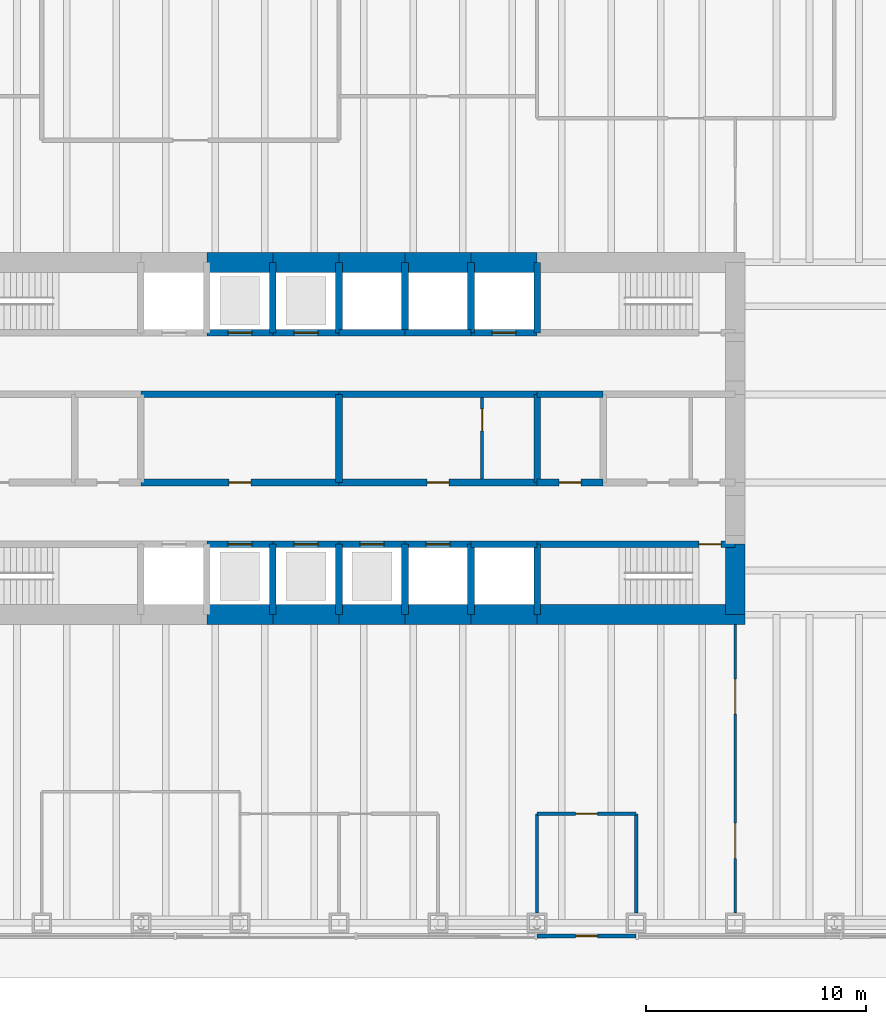
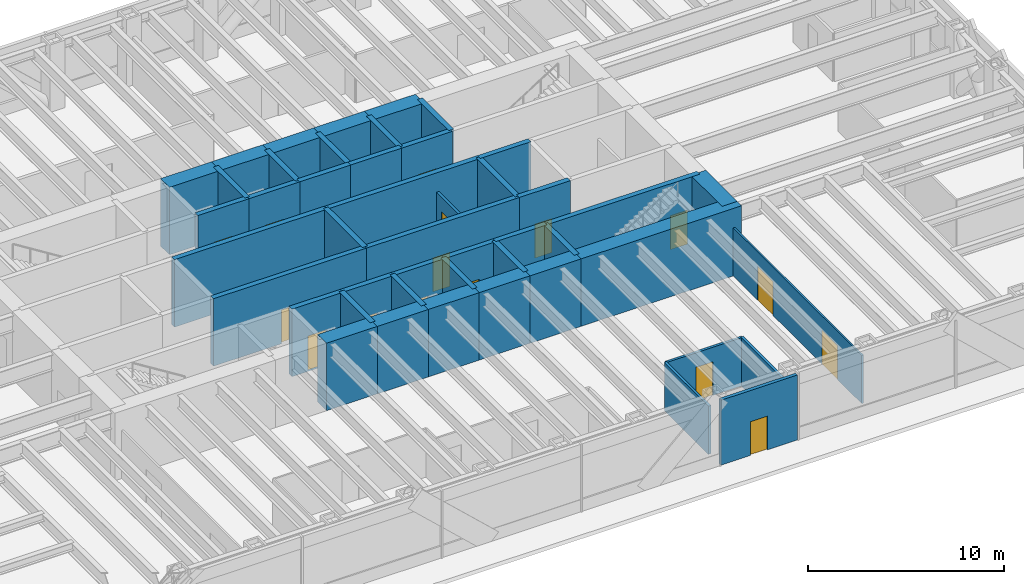
# One storey, part 10 of 14: 47 walls, 16 doors, 16 openings.
"""IFC4 building model written with IfcOpenShell, lengths in metres."""

from ifc_helpers import new_model, si_unit, direction, frame, frame_2d, origin, place, context, subcontext, project, spatial, rectangle, extrude, material, layer, layer_set, type_object, element, fill, save


model = new_model("IFC4")

# Units and contexts
model_context = context("Model", 3, precision=1e-05, world=origin(), true_north=direction((0.0, 1.0)))
body_context = subcontext(model_context, "Body", "Model", "MODEL_VIEW")
ifc_project = project(units=[si_unit("LENGTHUNIT", "METRE"), si_unit("AREAUNIT", "SQUARE_METRE"), si_unit("VOLUMEUNIT", "CUBIC_METRE"), si_unit("PLANEANGLEUNIT", "RADIAN"), si_unit("MASSUNIT", "GRAM", prefix="KILO")], contexts=[model_context])

# Site, building, storey
site_placement = place(None, origin())
site = spatial("IfcSite", under=ifc_project, at=site_placement, CompositionType="ELEMENT")
building_placement = place(site_placement, origin())
building = spatial("IfcBuilding", under=site, at=building_placement, Name="Rheinbord Bourse Tower", CompositionType="ELEMENT")
storey_placement = place(building_placement, frame((0.0, 0.0, 100.5)))
storey = spatial("IfcBuildingStorey", under=building, at=storey_placement, Name="L21", CompositionType="ELEMENT", Elevation=100.5)

# Wall, opening, door
ifc_material_1 = material(Name="Concrete C50/60", Category="concrete")
ifc_layer_1 = layer(ifc_material_1, 0.300048828125)
ifc_layer_set_1 = layer_set([ifc_layer_1], Name="CORE INNER WALL 300")
wall_type_1 = type_object("IfcWallType", Name="CORE INNER WALL 300", PredefinedType="SOLIDWALL", material=ifc_layer_set_1)
wall_1_placement = place(storey_placement, frame((30.0, 19.199951171875, 0.0), z_axis=(0.0, 0.0, 1.0), x_axis=(1.0, 0.0, 0.0)))
wall_1 = element("IfcWall", 1, at=wall_1_placement, inside=storey, type_object=wall_type_1, Name="Core wall A3 L21", PredefinedType="SOLIDWALL", context=body_context, shape_type="SweptSolid", body=[
    extrude(rectangle(XDim=3.0, YDim=0.300048828125, at=frame_2d((1.5, 0.0))), origin(), (0.0, 0.0, 1.0), 4.199951171875),
])
opening_1_placement = place(wall_1_placement, frame((0.949951171875, 0.0, 0.0)))
opening_1 = element("IfcOpeningElement", 2, at=opening_1_placement, cuts=wall_1, Name="Opening PB1", PredefinedType="OPENING", context=body_context, shape_type="SweptSolid", body=[
    extrude(rectangle(XDim=1.10009765625, YDim=2.199951171875, at=frame_2d((0.550048828125, 1.10009765625))), frame((0.0, 0.159912109375, 0.0), z_axis=(0.0, -1.0, 0.0), x_axis=(1.0, 0.0, 0.0)), (0.0, 0.0, 1.0), 0.320068359375),
])
ifc_material_2 = material(Name="Steel landing door", Category="steel")
door_type_1 = type_object("IfcDoorType", Name="LIFT LANDING DOOR 1100", OperationType="DOUBLE_DOOR_SLIDING", PredefinedType="USERDEFINED", material=ifc_material_2)
door_1_placement = place(opening_1_placement, origin())
door_1 = element("IfcDoor", 3, at=door_1_placement, inside=storey, type_object=door_type_1, Name="Lift landing door PB1 L21", ObjectType="LIFT LANDING DOOR", OperationType="DOUBLE_DOOR_SLIDING", OverallHeight=2.199951171875, OverallWidth=1.10009765625, PredefinedType="USERDEFINED", context=body_context, shape_type="SweptSolid", body=[
    extrude(rectangle(XDim=1.10009765625, YDim=2.199951171875, at=frame_2d((0.550048828125, 1.10009765625))), frame((0.0, 0.02490234375, 0.0), z_axis=(0.0, -1.0, 0.0), x_axis=(1.0, 0.0, 0.0)), (0.0, 0.0, 1.0), 0.050048828125),
])
fill(opening_1, door_1)

wall_2_placement = place(storey_placement, frame((33.0, 19.199951171875, 0.0), z_axis=(0.0, 0.0, 1.0), x_axis=(1.0, 0.0, 0.0)))
wall_2 = element("IfcWall", 4, at=wall_2_placement, inside=storey, type_object=wall_type_1, Name="Core wall A4 L21", PredefinedType="SOLIDWALL", context=body_context, shape_type="SweptSolid", body=[
    extrude(rectangle(XDim=3.0, YDim=0.300048828125, at=frame_2d((1.5, 0.0))), origin(), (0.0, 0.0, 1.0), 4.199951171875),
])
opening_2_placement = place(wall_2_placement, frame((0.949951171875, 0.0, 0.0)))
opening_2 = element("IfcOpeningElement", 5, at=opening_2_placement, cuts=wall_2, Name="Opening PB2", PredefinedType="OPENING", context=body_context, shape_type="SweptSolid", body=[
    extrude(rectangle(XDim=1.10009765625, YDim=2.199951171875, at=frame_2d((0.550048828125, 1.10009765625))), frame((0.0, 0.159912109375, 0.0), z_axis=(0.0, -1.0, 0.0), x_axis=(1.0, 0.0, 0.0)), (0.0, 0.0, 1.0), 0.320068359375),
])
door_2_placement = place(opening_2_placement, origin())
door_2 = element("IfcDoor", 6, at=door_2_placement, inside=storey, type_object=door_type_1, Name="Lift landing door PB2 L21", ObjectType="LIFT LANDING DOOR", OperationType="DOUBLE_DOOR_SLIDING", OverallHeight=2.199951171875, OverallWidth=1.10009765625, PredefinedType="USERDEFINED", context=body_context, shape_type="SweptSolid", body=[
    extrude(rectangle(XDim=1.10009765625, YDim=2.199951171875, at=frame_2d((0.550048828125, 1.10009765625))), frame((0.0, 0.02490234375, 0.0), z_axis=(0.0, -1.0, 0.0), x_axis=(1.0, 0.0, 0.0)), (0.0, 0.0, 1.0), 0.050048828125),
])
fill(opening_2, door_2)

wall_3_placement = place(storey_placement, frame((36.0, 19.199951171875, 0.0), z_axis=(0.0, 0.0, 1.0), x_axis=(1.0, 0.0, 0.0)))
wall_3 = element("IfcWall", 7, at=wall_3_placement, inside=storey, type_object=wall_type_1, Name="Core wall A5 L21", PredefinedType="SOLIDWALL", context=body_context, shape_type="SweptSolid", body=[
    extrude(rectangle(XDim=3.0, YDim=0.300048828125, at=frame_2d((1.5, 0.0))), origin(), (0.0, 0.0, 1.0), 4.199951171875),
])
opening_3_placement = place(wall_3_placement, frame((0.949951171875, 0.0, 0.0)))
opening_3 = element("IfcOpeningElement", 8, at=opening_3_placement, cuts=wall_3, Name="Opening PB3", PredefinedType="OPENING", context=body_context, shape_type="SweptSolid", body=[
    extrude(rectangle(XDim=1.10009765625, YDim=2.199951171875, at=frame_2d((0.550048828125, 1.10009765625))), frame((0.0, 0.159912109375, 0.0), z_axis=(0.0, -1.0, 0.0), x_axis=(1.0, 0.0, 0.0)), (0.0, 0.0, 1.0), 0.320068359375),
])
door_3_placement = place(opening_3_placement, origin())
door_3 = element("IfcDoor", 9, at=door_3_placement, inside=storey, type_object=door_type_1, Name="Lift landing door PB3 L21", ObjectType="LIFT LANDING DOOR", OperationType="DOUBLE_DOOR_SLIDING", OverallHeight=2.199951171875, OverallWidth=1.10009765625, PredefinedType="USERDEFINED", context=body_context, shape_type="SweptSolid", body=[
    extrude(rectangle(XDim=1.10009765625, YDim=2.199951171875, at=frame_2d((0.550048828125, 1.10009765625))), frame((0.0, 0.02490234375, 0.0), z_axis=(0.0, -1.0, 0.0), x_axis=(1.0, 0.0, 0.0)), (0.0, 0.0, 1.0), 0.050048828125),
])
fill(opening_3, door_3)

wall_4_placement = place(storey_placement, frame((39.0, 19.199951171875, 0.0), z_axis=(0.0, 0.0, 1.0), x_axis=(1.0, 0.0, 0.0)))
wall_4 = element("IfcWall", 10, at=wall_4_placement, inside=storey, type_object=wall_type_1, Name="Core wall A6 L21", PredefinedType="SOLIDWALL", context=body_context, shape_type="SweptSolid", body=[
    extrude(rectangle(XDim=3.0, YDim=0.300048828125, at=frame_2d((1.5, 0.0))), origin(), (0.0, 0.0, 1.0), 4.199951171875),
])
opening_4_placement = place(wall_4_placement, frame((0.949951171875, 0.0, 0.0)))
opening_4 = element("IfcOpeningElement", 11, at=opening_4_placement, cuts=wall_4, Name="Opening SL1", PredefinedType="OPENING", context=body_context, shape_type="SweptSolid", body=[
    extrude(rectangle(XDim=1.10009765625, YDim=2.199951171875, at=frame_2d((0.550048828125, 1.10009765625))), frame((0.0, 0.159912109375, 0.0), z_axis=(0.0, -1.0, 0.0), x_axis=(1.0, 0.0, 0.0)), (0.0, 0.0, 1.0), 0.320068359375),
])
door_4_placement = place(opening_4_placement, origin())
door_4 = element("IfcDoor", 12, at=door_4_placement, inside=storey, type_object=door_type_1, Name="Lift landing door SL1 L21", ObjectType="LIFT LANDING DOOR", OperationType="DOUBLE_DOOR_SLIDING", OverallHeight=2.199951171875, OverallWidth=1.10009765625, PredefinedType="USERDEFINED", context=body_context, shape_type="SweptSolid", body=[
    extrude(rectangle(XDim=1.10009765625, YDim=2.199951171875, at=frame_2d((0.550048828125, 1.10009765625))), frame((0.0, 0.02490234375, 0.0), z_axis=(0.0, -1.0, 0.0), x_axis=(1.0, 0.0, 0.0)), (0.0, 0.0, 1.0), 0.050048828125),
])
fill(opening_4, door_4)

# Wall
wall_5_placement = place(storey_placement, frame((42.0, 19.199951171875, 0.0), z_axis=(0.0, 0.0, 1.0), x_axis=(1.0, 0.0, 0.0)))
element("IfcWall", 13, at=wall_5_placement, inside=storey, type_object=wall_type_1, Name="Core wall A7 L21", PredefinedType="SOLIDWALL", context=body_context, shape_type="SweptSolid", body=[
    extrude(rectangle(XDim=3.0, YDim=0.300048828125, at=frame_2d((1.5, 0.0))), origin(), (0.0, 0.0, 1.0), 4.199951171875),
])

# Wall, opening, door
wall_6_placement = place(storey_placement, frame((45.0, 19.199951171875, 0.0), z_axis=(0.0, 0.0, 1.0), x_axis=(1.0, 0.0, 0.0)))
wall_6 = element("IfcWall", 14, at=wall_6_placement, inside=storey, type_object=wall_type_1, Name="Core wall A8 L21", PredefinedType="SOLIDWALL", context=body_context, shape_type="SweptSolid", body=[
    extrude(rectangle(XDim=9.0, YDim=0.300048828125, at=frame_2d((4.5, 0.0))), origin(), (0.0, 0.0, 1.0), 4.199951171875),
])
opening_5_placement = place(wall_6_placement, frame((7.35009765625, 0.0, 0.0)))
opening_5 = element("IfcOpeningElement", 15, at=opening_5_placement, cuts=wall_6, Name="Opening 2130", PredefinedType="OPENING", context=body_context, shape_type="SweptSolid", body=[
    extrude(rectangle(XDim=1.0, YDim=2.10009765625, at=frame_2d((0.5, 1.050048828125))), frame((0.0, 0.159912109375, 0.0), z_axis=(0.0, -1.0, 0.0), x_axis=(1.0, 0.0, 0.0)), (0.0, 0.0, 1.0), 0.320068359375),
])
ifc_material_3 = material(Name="Steel door", Category="steel")
door_type_2 = type_object("IfcDoorType", Name="DOOR 1000 EI30", OperationType="SINGLE_SWING_LEFT", PredefinedType="DOOR", material=ifc_material_3)
door_5_placement = place(opening_5_placement, origin())
door_5 = element("IfcDoor", 16, at=door_5_placement, inside=storey, type_object=door_type_2, Name="Stair door ST3 L21", OperationType="SINGLE_SWING_RIGHT", OverallHeight=2.10009765625, OverallWidth=1.0, PredefinedType="DOOR", context=body_context, shape_type="SweptSolid", body=[
    extrude(rectangle(XDim=1.0, YDim=2.10009765625, at=frame_2d((0.5, 1.050048828125))), frame((0.0, 0.02490234375, 0.0), z_axis=(0.0, -1.0, 0.0), x_axis=(1.0, 0.0, 0.0)), (0.0, 0.0, 1.0), 0.050048828125),
])
fill(opening_5, door_5)

wall_7_placement = place(storey_placement, frame((30.0, 28.800048828125, 0.0), z_axis=(0.0, 0.0, 1.0), x_axis=(1.0, 0.0, 0.0)))
wall_7 = element("IfcWall", 17, at=wall_7_placement, inside=storey, type_object=wall_type_1, Name="Core wall B3 L21", PredefinedType="SOLIDWALL", context=body_context, shape_type="SweptSolid", body=[
    extrude(rectangle(XDim=3.0, YDim=0.300048828125, at=frame_2d((1.5, 0.0))), origin(), (0.0, 0.0, 1.0), 4.199951171875),
])
opening_6_placement = place(wall_7_placement, frame((0.949951171875, 0.0, 0.0)))
opening_6 = element("IfcOpeningElement", 18, at=opening_6_placement, cuts=wall_7, Name="Opening PB4", PredefinedType="OPENING", context=body_context, shape_type="SweptSolid", body=[
    extrude(rectangle(XDim=1.10009765625, YDim=2.199951171875, at=frame_2d((0.550048828125, 1.10009765625))), frame((0.0, 0.159912109375, 0.0), z_axis=(0.0, -1.0, 0.0), x_axis=(1.0, 0.0, 0.0)), (0.0, 0.0, 1.0), 0.320068359375),
])
door_6_placement = place(opening_6_placement, origin())
door_6 = element("IfcDoor", 19, at=door_6_placement, inside=storey, type_object=door_type_1, Name="Lift landing door PB4 L21", ObjectType="LIFT LANDING DOOR", OperationType="DOUBLE_DOOR_SLIDING", OverallHeight=2.199951171875, OverallWidth=1.10009765625, PredefinedType="USERDEFINED", context=body_context, shape_type="SweptSolid", body=[
    extrude(rectangle(XDim=1.10009765625, YDim=2.199951171875, at=frame_2d((0.550048828125, 1.10009765625))), frame((0.0, 0.02490234375, 0.0), z_axis=(0.0, -1.0, 0.0), x_axis=(1.0, 0.0, 0.0)), (0.0, 0.0, 1.0), 0.050048828125),
])
fill(opening_6, door_6)

wall_8_placement = place(storey_placement, frame((33.0, 28.800048828125, 0.0), z_axis=(0.0, 0.0, 1.0), x_axis=(1.0, 0.0, 0.0)))
wall_8 = element("IfcWall", 20, at=wall_8_placement, inside=storey, type_object=wall_type_1, Name="Core wall B4 L21", PredefinedType="SOLIDWALL", context=body_context, shape_type="SweptSolid", body=[
    extrude(rectangle(XDim=3.0, YDim=0.300048828125, at=frame_2d((1.5, 0.0))), origin(), (0.0, 0.0, 1.0), 4.199951171875),
])
opening_7_placement = place(wall_8_placement, frame((0.949951171875, 0.0, 0.0)))
opening_7 = element("IfcOpeningElement", 21, at=opening_7_placement, cuts=wall_8, Name="Opening PB5", PredefinedType="OPENING", context=body_context, shape_type="SweptSolid", body=[
    extrude(rectangle(XDim=1.10009765625, YDim=2.199951171875, at=frame_2d((0.550048828125, 1.10009765625))), frame((0.0, 0.159912109375, 0.0), z_axis=(0.0, -1.0, 0.0), x_axis=(1.0, 0.0, 0.0)), (0.0, 0.0, 1.0), 0.320068359375),
])
door_7_placement = place(opening_7_placement, origin())
door_7 = element("IfcDoor", 22, at=door_7_placement, inside=storey, type_object=door_type_1, Name="Lift landing door PB5 L21", ObjectType="LIFT LANDING DOOR", OperationType="DOUBLE_DOOR_SLIDING", OverallHeight=2.199951171875, OverallWidth=1.10009765625, PredefinedType="USERDEFINED", context=body_context, shape_type="SweptSolid", body=[
    extrude(rectangle(XDim=1.10009765625, YDim=2.199951171875, at=frame_2d((0.550048828125, 1.10009765625))), frame((0.0, 0.02490234375, 0.0), z_axis=(0.0, -1.0, 0.0), x_axis=(1.0, 0.0, 0.0)), (0.0, 0.0, 1.0), 0.050048828125),
])
fill(opening_7, door_7)

# Walls
for number, where, z_axis, x_axis, name in (
    (23, (36.0, 28.800048828125, 0.0), (0.0, 0.0, 1.0), (1.0, 0.0, 0.0), "Core wall B5 L21"),
    (24, (39.0, 28.800048828125, 0.0), (0.0, 0.0, 1.0), (1.0, 0.0, 0.0), "Core wall B6 L21"),
):
    element("IfcWall", number, at=place(storey_placement, frame(where, z_axis=z_axis, x_axis=x_axis)), inside=storey, type_object=wall_type_1, Name=name, PredefinedType="SOLIDWALL", context=body_context, shape_type="SweptSolid", body=[
        extrude(rectangle(XDim=3.0, YDim=0.300048828125, at=frame_2d((1.5, 0.0))), origin(), (0.0, 0.0, 1.0), 4.199951171875),
    ])

# Wall, opening, door
wall_9_placement = place(storey_placement, frame((42.0, 28.800048828125, 0.0), z_axis=(0.0, 0.0, 1.0), x_axis=(1.0, 0.0, 0.0)))
wall_9 = element("IfcWall", 25, at=wall_9_placement, inside=storey, type_object=wall_type_1, Name="Core wall B7 L21", PredefinedType="SOLIDWALL", context=body_context, shape_type="SweptSolid", body=[
    extrude(rectangle(XDim=3.0, YDim=0.300048828125, at=frame_2d((1.5, 0.0))), origin(), (0.0, 0.0, 1.0), 4.199951171875),
])
opening_8_placement = place(wall_9_placement, frame((0.949951171875, 0.0, 0.0)))
opening_8 = element("IfcOpeningElement", 26, at=opening_8_placement, cuts=wall_9, Name="Opening FL2", PredefinedType="OPENING", context=body_context, shape_type="SweptSolid", body=[
    extrude(rectangle(XDim=1.10009765625, YDim=2.199951171875, at=frame_2d((0.550048828125, 1.10009765625))), frame((0.0, 0.159912109375, 0.0), z_axis=(0.0, -1.0, 0.0), x_axis=(1.0, 0.0, 0.0)), (0.0, 0.0, 1.0), 0.320068359375),
])
door_8_placement = place(opening_8_placement, origin())
door_8 = element("IfcDoor", 27, at=door_8_placement, inside=storey, type_object=door_type_1, Name="Lift landing door FL2 L21", ObjectType="LIFT LANDING DOOR", OperationType="DOUBLE_DOOR_SLIDING", OverallHeight=2.199951171875, OverallWidth=1.10009765625, PredefinedType="USERDEFINED", context=body_context, shape_type="SweptSolid", body=[
    extrude(rectangle(XDim=1.10009765625, YDim=2.199951171875, at=frame_2d((0.550048828125, 1.10009765625))), frame((0.0, 0.02490234375, 0.0), z_axis=(0.0, -1.0, 0.0), x_axis=(1.0, 0.0, 0.0)), (0.0, 0.0, 1.0), 0.050048828125),
])
fill(opening_8, door_8)

wall_10_placement = place(storey_placement, frame((27.0, 22.0, 0.0), z_axis=(0.0, 0.0, 1.0), x_axis=(1.0, 0.0, 0.0)))
wall_10 = element("IfcWall", 28, at=wall_10_placement, inside=storey, type_object=wall_type_1, Name="Core wall C3 L21", PredefinedType="SOLIDWALL", context=body_context, shape_type="SweptSolid", body=[
    extrude(rectangle(XDim=9.0, YDim=0.300048828125, at=frame_2d((4.5, 0.0))), origin(), (0.0, 0.0, 1.0), 4.199951171875),
])
opening_9_placement = place(wall_10_placement, frame((4.0, 0.0, 0.0)))
opening_9 = element("IfcOpeningElement", 29, at=opening_9_placement, cuts=wall_10, Name="Opening 21R3", PredefinedType="OPENING", context=body_context, shape_type="SweptSolid", body=[
    extrude(rectangle(XDim=1.0, YDim=2.10009765625, at=frame_2d((0.5, 1.050048828125))), frame((0.0, 0.159912109375, 0.0), z_axis=(0.0, -1.0, 0.0), x_axis=(1.0, 0.0, 0.0)), (0.0, 0.0, 1.0), 0.320068359375),
])
door_9_placement = place(opening_9_placement, origin())
door_9 = element("IfcDoor", 30, at=door_9_placement, inside=storey, type_object=door_type_2, Name="Riser door L21", OperationType="SINGLE_SWING_LEFT", OverallHeight=2.10009765625, OverallWidth=1.0, PredefinedType="DOOR", context=body_context, shape_type="SweptSolid", body=[
    extrude(rectangle(XDim=1.0, YDim=2.10009765625, at=frame_2d((0.5, 1.050048828125))), frame((0.0, 0.02490234375, 0.0), z_axis=(0.0, -1.0, 0.0), x_axis=(1.0, 0.0, 0.0)), (0.0, 0.0, 1.0), 0.050048828125),
])
fill(opening_9, door_9)

wall_11_placement = place(storey_placement, frame((36.0, 22.0, 0.0), z_axis=(0.0, 0.0, 1.0), x_axis=(1.0, 0.0, 0.0)))
wall_11 = element("IfcWall", 31, at=wall_11_placement, inside=storey, type_object=wall_type_1, Name="Core wall C4 L21", PredefinedType="SOLIDWALL", context=body_context, shape_type="SweptSolid", body=[
    extrude(rectangle(XDim=9.0, YDim=0.300048828125, at=frame_2d((4.5, 0.0))), origin(), (0.0, 0.0, 1.0), 4.199951171875),
])
opening_10_placement = place(wall_11_placement, frame((4.0, 0.0, 0.0)))
opening_10 = element("IfcOpeningElement", 32, at=opening_10_placement, cuts=wall_11, Name="Opening 21R4", PredefinedType="OPENING", context=body_context, shape_type="SweptSolid", body=[
    extrude(rectangle(XDim=1.0, YDim=2.10009765625, at=frame_2d((0.5, 1.050048828125))), frame((0.0, 0.159912109375, 0.0), z_axis=(0.0, -1.0, 0.0), x_axis=(1.0, 0.0, 0.0)), (0.0, 0.0, 1.0), 0.320068359375),
])
door_10_placement = place(opening_10_placement, origin())
door_10 = element("IfcDoor", 33, at=door_10_placement, inside=storey, type_object=door_type_2, Name="Print room door L21", OperationType="SINGLE_SWING_LEFT", OverallHeight=2.10009765625, OverallWidth=1.0, PredefinedType="DOOR", context=body_context, shape_type="SweptSolid", body=[
    extrude(rectangle(XDim=1.0, YDim=2.10009765625, at=frame_2d((0.5, 1.050048828125))), frame((0.0, 0.02490234375, 0.0), z_axis=(0.0, -1.0, 0.0), x_axis=(1.0, 0.0, 0.0)), (0.0, 0.0, 1.0), 0.050048828125),
])
fill(opening_10, door_10)

wall_12_placement = place(storey_placement, frame((45.0, 22.0, 0.0), z_axis=(0.0, 0.0, 1.0), x_axis=(1.0, 0.0, 0.0)))
wall_12 = element("IfcWall", 34, at=wall_12_placement, inside=storey, type_object=wall_type_1, Name="Core wall C5 L21", PredefinedType="SOLIDWALL", context=body_context, shape_type="SweptSolid", body=[
    extrude(rectangle(XDim=3.0, YDim=0.300048828125, at=frame_2d((1.5, 0.0))), origin(), (0.0, 0.0, 1.0), 4.199951171875),
])
opening_11_placement = place(wall_12_placement, frame((1.0, 0.0, 0.0)))
opening_11 = element("IfcOpeningElement", 35, at=opening_11_placement, cuts=wall_12, Name="Opening 21R5", PredefinedType="OPENING", context=body_context, shape_type="SweptSolid", body=[
    extrude(rectangle(XDim=1.0, YDim=2.10009765625, at=frame_2d((0.5, 1.050048828125))), frame((0.0, 0.159912109375, 0.0), z_axis=(0.0, -1.0, 0.0), x_axis=(1.0, 0.0, 0.0)), (0.0, 0.0, 1.0), 0.320068359375),
])
ifc_material_4 = material(Name="Timber door", Category="wood")
door_type_3 = type_object("IfcDoorType", Name="DOOR 1000 WC", OperationType="SINGLE_SWING_LEFT", PredefinedType="DOOR", material=ifc_material_4)
door_11_placement = place(opening_11_placement, origin())
door_11 = element("IfcDoor", 36, at=door_11_placement, inside=storey, type_object=door_type_3, Name="Accessible WC door L21", OperationType="SINGLE_SWING_LEFT", OverallHeight=2.10009765625, OverallWidth=1.0, PredefinedType="DOOR", context=body_context, shape_type="SweptSolid", body=[
    extrude(rectangle(XDim=1.0, YDim=2.10009765625, at=frame_2d((0.5, 1.050048828125))), frame((0.0, 0.02490234375, 0.0), z_axis=(0.0, -1.0, 0.0), x_axis=(1.0, 0.0, 0.0)), (0.0, 0.0, 1.0), 0.050048828125),
])
fill(opening_11, door_11)

# Walls
for number, where, z_axis, x_axis, name in (
    (37, (27.0, 26.0, 0.0), (0.0, 0.0, 1.0), (1.0, 0.0, 0.0), "Core wall D3 L21"),
    (38, (36.0, 26.0, 0.0), (0.0, 0.0, 1.0), (1.0, 0.0, 0.0), "Core wall D4 L21"),
):
    element("IfcWall", number, at=place(storey_placement, frame(where, z_axis=z_axis, x_axis=x_axis)), inside=storey, type_object=wall_type_1, Name=name, PredefinedType="SOLIDWALL", context=body_context, shape_type="SweptSolid", body=[
        extrude(rectangle(XDim=9.0, YDim=0.300048828125, at=frame_2d((4.5, 0.0))), origin(), (0.0, 0.0, 1.0), 4.199951171875),
    ])
wall_13_placement = place(storey_placement, frame((45.0, 26.0, 0.0), z_axis=(0.0, 0.0, 1.0), x_axis=(1.0, 0.0, 0.0)))
element("IfcWall", 39, at=wall_13_placement, inside=storey, type_object=wall_type_1, Name="Core wall D5 L21", PredefinedType="SOLIDWALL", context=body_context, shape_type="SweptSolid", body=[
    extrude(rectangle(XDim=3.0, YDim=0.300048828125, at=frame_2d((1.5, 0.0))), origin(), (0.0, 0.0, 1.0), 4.199951171875),
])
for number, where, z_axis, x_axis, name in (
    (40, (33.0, 16.0, 0.0), (0.0, 0.0, 1.0), (0.0, 1.0, 0.0), "Core wall SX33 L21"),
    (41, (33.0, 28.800048828125, 0.0), (0.0, 0.0, 1.0), (0.0, 1.0, 0.0), "Core wall NX33 L21"),
    (42, (36.0, 16.0, 0.0), (0.0, 0.0, 1.0), (0.0, 1.0, 0.0), "Core wall SX36 L21"),
    (43, (36.0, 28.800048828125, 0.0), (0.0, 0.0, 1.0), (0.0, 1.0, 0.0), "Core wall NX36 L21"),
    (44, (39.0, 16.0, 0.0), (0.0, 0.0, 1.0), (0.0, 1.0, 0.0), "Core wall SX39 L21"),
    (45, (39.0, 28.800048828125, 0.0), (0.0, 0.0, 1.0), (0.0, 1.0, 0.0), "Core wall NX39 L21"),
    (46, (42.0, 16.0, 0.0), (0.0, 0.0, 1.0), (0.0, 1.0, 0.0), "Core wall SX42 L21"),
    (47, (42.0, 28.800048828125, 0.0), (0.0, 0.0, 1.0), (0.0, 1.0, 0.0), "Core wall NX42 L21"),
    (48, (45.0, 16.0, 0.0), (0.0, 0.0, 1.0), (0.0, 1.0, 0.0), "Core wall SX45 L21"),
    (49, (45.0, 28.800048828125, 0.0), (0.0, 0.0, 1.0), (0.0, 1.0, 0.0), "Core wall NX45 L21"),
):
    element("IfcWall", number, at=place(storey_placement, frame(where, z_axis=z_axis, x_axis=x_axis)), inside=storey, type_object=wall_type_1, Name=name, PredefinedType="SOLIDWALL", context=body_context, shape_type="SweptSolid", body=[
        extrude(rectangle(XDim=3.199951171875, YDim=0.300048828125, at=frame_2d((1.60009765625, 0.0))), origin(), (0.0, 0.0, 1.0), 4.199951171875),
    ])
for number, where, z_axis, x_axis, name in (
    (50, (36.0, 22.0, 0.0), (0.0, 0.0, 1.0), (0.0, 1.0, 0.0), "Core wall MX36 L21"),
    (51, (45.0, 22.0, 0.0), (0.0, 0.0, 1.0), (0.0, 1.0, 0.0), "Core wall MX45 L21"),
):
    element("IfcWall", number, at=place(storey_placement, frame(where, z_axis=z_axis, x_axis=x_axis)), inside=storey, type_object=wall_type_1, Name=name, PredefinedType="SOLIDWALL", context=body_context, shape_type="SweptSolid", body=[
        extrude(rectangle(XDim=4.0, YDim=0.300048828125, at=frame_2d((2.0, 0.0))), origin(), (0.0, 0.0, 1.0), 4.199951171875),
    ])

# Wall, opening, door
ifc_material_5 = material(Name="Gypsum board fire partition", Category="gypsum board")
ifc_layer_2 = layer(ifc_material_5, 0.14990234375)
ifc_layer_set_2 = layer_set([ifc_layer_2], Name="CORE PARTITION 150 EI30")
wall_type_2 = type_object("IfcWallType", Name="CORE PARTITION 150 EI30", PredefinedType="PARTITIONING", material=ifc_layer_set_2)
wall_14_placement = place(storey_placement, frame((42.5, 22.14990234375, 0.0), z_axis=(0.0, 0.0, 1.0), x_axis=(0.0, 1.0, 0.0)))
wall_14 = element("IfcWall", 52, at=wall_14_placement, inside=storey, type_object=wall_type_2, Name="Core partition L21-1", PredefinedType="PARTITIONING", context=body_context, shape_type="SweptSolid", body=[
    extrude(rectangle(XDim=3.7001953125, YDim=0.14990234375, at=frame_2d((1.85009765625, 0.0))), origin(), (0.0, 0.0, 1.0), 3.0),
])
opening_12_placement = place(wall_14_placement, frame((2.199951171875, 0.0, 0.0)))
opening_12 = element("IfcOpeningElement", 53, at=opening_12_placement, cuts=wall_14, Name="Opening 21R7", PredefinedType="OPENING", context=body_context, shape_type="SweptSolid", body=[
    extrude(rectangle(XDim=1.0, YDim=2.10009765625, at=frame_2d((0.5, 1.050048828125))), frame((0.0, 0.0849609375, 0.0), z_axis=(0.0, -1.0, 0.0), x_axis=(1.0, 0.0, 0.0)), (0.0, 0.0, 1.0), 0.169921875),
])
door_12_placement = place(opening_12_placement, origin())
door_12 = element("IfcDoor", 54, at=door_12_placement, inside=storey, type_object=door_type_2, Name="Paper store door L21", OperationType="SINGLE_SWING_RIGHT", OverallHeight=2.10009765625, OverallWidth=1.0, PredefinedType="DOOR", context=body_context, shape_type="SweptSolid", body=[
    extrude(rectangle(XDim=1.0, YDim=2.10009765625, at=frame_2d((0.5, 1.050048828125))), frame((0.0, 0.02490234375, 0.0), z_axis=(0.0, -1.0, 0.0), x_axis=(1.0, 0.0, 0.0)), (0.0, 0.0, 1.0), 0.050048828125),
])
fill(opening_12, door_12)

# Walls
ifc_material_6 = material(Name="Concrete C50/60", Category="concrete")
ifc_layer_3 = layer(ifc_material_6, 0.89990234375)
ifc_layer_set_3 = layer_set([ifc_layer_3], Name="CORE WALL 900")
wall_type_3 = type_object("IfcWallType", Name="CORE WALL 900", PredefinedType="SHEAR", material=ifc_layer_set_3)
for number, where, z_axis, x_axis, name in (
    (55, (30.0, 16.0, 0.0), (0.0, 0.0, 1.0), (1.0, 0.0, 0.0), "Core wall S3 L21"),
    (56, (33.0, 16.0, 0.0), (0.0, 0.0, 1.0), (1.0, 0.0, 0.0), "Core wall S4 L21"),
    (57, (36.0, 16.0, 0.0), (0.0, 0.0, 1.0), (1.0, 0.0, 0.0), "Core wall S5 L21"),
    (58, (39.0, 16.0, 0.0), (0.0, 0.0, 1.0), (1.0, 0.0, 0.0), "Core wall S6 L21"),
    (59, (42.0, 16.0, 0.0), (0.0, 0.0, 1.0), (1.0, 0.0, 0.0), "Core wall S7 L21"),
):
    element("IfcWall", number, at=place(storey_placement, frame(where, z_axis=z_axis, x_axis=x_axis)), inside=storey, type_object=wall_type_3, Name=name, PredefinedType="SHEAR", context=body_context, shape_type="SweptSolid", body=[
        extrude(rectangle(XDim=3.0, YDim=0.89990234375, at=frame_2d((1.5, 0.0))), origin(), (0.0, 0.0, 1.0), 4.199951171875),
    ])
wall_15_placement = place(storey_placement, frame((45.0, 16.0, 0.0), z_axis=(0.0, 0.0, 1.0), x_axis=(1.0, 0.0, 0.0)))
element("IfcWall", 60, at=wall_15_placement, inside=storey, type_object=wall_type_3, Name="Core wall S8 L21", PredefinedType="SHEAR", context=body_context, shape_type="SweptSolid", body=[
    extrude(rectangle(XDim=9.449951171875, YDim=0.89990234375, at=frame_2d((4.72509765625, 0.0))), origin(), (0.0, 0.0, 1.0), 4.199951171875),
])
for number, where, z_axis, x_axis, name in (
    (61, (45.0, 32.0, 0.0), (0.0, 0.0, 1.0), (-1.0, 0.0, 0.0), "Core wall N2 L21"),
    (62, (42.0, 32.0, 0.0), (0.0, 0.0, 1.0), (-1.0, 0.0, 0.0), "Core wall N3 L21"),
    (63, (39.0, 32.0, 0.0), (0.0, 0.0, 1.0), (-1.0, 0.0, 0.0), "Core wall N4 L21"),
    (64, (36.0, 32.0, 0.0), (0.0, 0.0, 1.0), (-1.0, 0.0, 0.0), "Core wall N5 L21"),
    (65, (33.0, 32.0, 0.0), (0.0, 0.0, 1.0), (-1.0, 0.0, 0.0), "Core wall N6 L21"),
):
    element("IfcWall", number, at=place(storey_placement, frame(where, z_axis=z_axis, x_axis=x_axis)), inside=storey, type_object=wall_type_3, Name=name, PredefinedType="SHEAR", context=body_context, shape_type="SweptSolid", body=[
        extrude(rectangle(XDim=3.0, YDim=0.89990234375, at=frame_2d((1.5, 0.0))), origin(), (0.0, 0.0, 1.0), 4.199951171875),
    ])
wall_16_placement = place(storey_placement, frame((54.0, 16.0, 0.0), z_axis=(0.0, 0.0, 1.0), x_axis=(0.0, 1.0, 0.0)))
element("IfcWall", 66, at=wall_16_placement, inside=storey, type_object=wall_type_3, Name="Core wall E1 L21", PredefinedType="SHEAR", context=body_context, shape_type="SweptSolid", body=[
    extrude(rectangle(XDim=3.199951171875, YDim=0.89990234375, at=frame_2d((1.60009765625, 0.0))), origin(), (0.0, 0.0, 1.0), 4.199951171875),
])

# Wall, opening, door
ifc_material_7 = material(Name="Gypsum board fire partition", Category="gypsum board")
ifc_layer_4 = layer(ifc_material_7, 0.14990234375)
ifc_layer_set_4 = layer_set([ifc_layer_4], Name="FIRE PARTITION 150 EI60")
wall_type_4 = type_object("IfcWallType", Name="FIRE PARTITION 150 EI60", PredefinedType="PARTITIONING", material=ifc_layer_set_4)
wall_17_placement = place(storey_placement, frame((45.0, 6.949951171875, 0.0), z_axis=(0.0, 0.0, 1.0), x_axis=(1.0, 0.0, 0.0)))
wall_17 = element("IfcWall", 67, at=wall_17_placement, inside=storey, type_object=wall_type_4, Name="Partition L21-03", PredefinedType="PARTITIONING", context=body_context, shape_type="SweptSolid", body=[
    extrude(rectangle(XDim=4.5, YDim=0.14990234375, at=frame_2d((2.25, 0.0))), origin(), (0.0, 0.0, 1.0), 3.0),
])
opening_13_placement = place(wall_17_placement, frame((1.75, 0.0, 0.0)))
opening_13 = element("IfcOpeningElement", 68, at=opening_13_placement, cuts=wall_17, Name="Opening 21D03", PredefinedType="OPENING", context=body_context, shape_type="SweptSolid", body=[
    extrude(rectangle(XDim=1.0, YDim=2.10009765625, at=frame_2d((0.5, 1.050048828125))), frame((0.0, 0.0849609375, 0.0), z_axis=(0.0, -1.0, 0.0), x_axis=(1.0, 0.0, 0.0)), (0.0, 0.0, 1.0), 0.169921875),
])
ifc_material_8 = material(Name="Timber fire door", Category="wood")
door_type_4 = type_object("IfcDoorType", Name="FIRE DOOR 1000 EI60", OperationType="SINGLE_SWING_LEFT", PredefinedType="DOOR", material=ifc_material_8)
door_13_placement = place(opening_13_placement, origin())
door_13 = element("IfcDoor", 69, at=door_13_placement, inside=storey, type_object=door_type_4, Name="Roof access lobby door L21", OperationType="SINGLE_SWING_LEFT", OverallHeight=2.10009765625, OverallWidth=1.0, PredefinedType="DOOR", context=body_context, shape_type="SweptSolid", body=[
    extrude(rectangle(XDim=1.0, YDim=2.10009765625, at=frame_2d((0.5, 1.050048828125))), frame((0.0, 0.02490234375, 0.0), z_axis=(0.0, -1.0, 0.0), x_axis=(1.0, 0.0, 0.0)), (0.0, 0.0, 1.0), 0.050048828125),
])
fill(opening_13, door_13)

# Walls
for number, where, z_axis, x_axis, name in (
    (70, (45.0, 2.449951171875, 0.0), (0.0, 0.0, 1.0), (0.0, 1.0, 0.0), "Partition L21-28"),
    (71, (49.5, 2.449951171875, 0.0), (0.0, 0.0, 1.0), (0.0, 1.0, 0.0), "Partition L21-30"),
):
    element("IfcWall", number, at=place(storey_placement, frame(where, z_axis=z_axis, x_axis=x_axis)), inside=storey, type_object=wall_type_4, Name=name, PredefinedType="PARTITIONING", context=body_context, shape_type="SweptSolid", body=[
        extrude(rectangle(XDim=4.5, YDim=0.14990234375, at=frame_2d((2.25, 0.0))), origin(), (0.0, 0.0, 1.0), 3.0),
    ])

# Wall, openings, doors
ifc_material_9 = material(Name="Toughened laminated glass partition", Category="glass")
ifc_layer_5 = layer(ifc_material_9, 0.10009765625)
ifc_layer_set_5 = layer_set([ifc_layer_5], Name="GLAZED PARTITION 100")
wall_type_5 = type_object("IfcWallType", Name="GLAZED PARTITION 100", PredefinedType="PARTITIONING", material=ifc_layer_set_5)
wall_18_placement = place(storey_placement, frame((54.0, 2.449951171875, 0.0), z_axis=(0.0, 0.0, 1.0), x_axis=(0.0, 1.0, 0.0)))
wall_18 = element("IfcWall", 72, at=wall_18_placement, inside=storey, type_object=wall_type_5, Name="Partition L21-31", PredefinedType="PARTITIONING", context=body_context, shape_type="SweptSolid", body=[
    extrude(rectangle(XDim=13.10009765625, YDim=0.10009765625, at=frame_2d((6.550048828125, 0.0))), origin(), (0.0, 0.0, 1.0), 3.0),
])
opening_14_placement = place(wall_18_placement, frame((2.47509765625, 0.0, 0.0)))
opening_14 = element("IfcOpeningElement", 73, at=opening_14_placement, cuts=wall_18, Name="Opening 21D16", PredefinedType="OPENING", context=body_context, shape_type="SweptSolid", body=[
    extrude(rectangle(XDim=1.60009765625, YDim=2.10009765625, at=frame_2d((0.800048828125, 1.050048828125))), frame((0.0, 0.06005859375, 0.0), z_axis=(0.0, -1.0, 0.0), x_axis=(1.0, 0.0, 0.0)), (0.0, 0.0, 1.0), 0.1201171875),
])
opening_15_placement = place(wall_18_placement, frame((9.02490234375, 0.0, 0.0)))
opening_15 = element("IfcOpeningElement", 74, at=opening_15_placement, cuts=wall_18, Name="Opening 21D17", PredefinedType="OPENING", context=body_context, shape_type="SweptSolid", body=[
    extrude(rectangle(XDim=1.60009765625, YDim=2.10009765625, at=frame_2d((0.800048828125, 1.050048828125))), frame((0.0, 0.06005859375, 0.0), z_axis=(0.0, -1.0, 0.0), x_axis=(1.0, 0.0, 0.0)), (0.0, 0.0, 1.0), 0.1201171875),
])
ifc_material_10 = material(Name="Timber door", Category="wood")
door_type_5 = type_object("IfcDoorType", Name="DOUBLE ROOM DOOR 1600", OperationType="DOUBLE_DOOR_DOUBLE_SWING", PredefinedType="DOOR", material=ifc_material_10)
door_14_placement = place(opening_14_placement, origin())
door_14 = element("IfcDoor", 75, at=door_14_placement, inside=storey, type_object=door_type_5, Name="Open area door L21", OperationType="SINGLE_SWING_LEFT", OverallHeight=2.10009765625, OverallWidth=1.60009765625, PredefinedType="DOOR", context=body_context, shape_type="SweptSolid", body=[
    extrude(rectangle(XDim=1.60009765625, YDim=2.10009765625, at=frame_2d((0.800048828125, 1.050048828125))), frame((0.0, 0.02490234375, 0.0), z_axis=(0.0, -1.0, 0.0), x_axis=(1.0, 0.0, 0.0)), (0.0, 0.0, 1.0), 0.050048828125),
])
fill(opening_14, door_14)
door_15_placement = place(opening_15_placement, origin())
door_15 = element("IfcDoor", 76, at=door_15_placement, inside=storey, type_object=door_type_5, Name="Open area door L21", OperationType="SINGLE_SWING_LEFT", OverallHeight=2.10009765625, OverallWidth=1.60009765625, PredefinedType="DOOR", context=body_context, shape_type="SweptSolid", body=[
    extrude(rectangle(XDim=1.60009765625, YDim=2.10009765625, at=frame_2d((0.800048828125, 1.050048828125))), frame((0.0, 0.02490234375, 0.0), z_axis=(0.0, -1.0, 0.0), x_axis=(1.0, 0.0, 0.0)), (0.0, 0.0, 1.0), 0.050048828125),
])
fill(opening_15, door_15)

# Wall, opening, door
ifc_material_11 = material(Name="Insulated black metal panel on a steel frame", Category="steel")
ifc_layer_6 = layer(ifc_material_11, 0.199951171875)
ifc_layer_set_6 = layer_set([ifc_layer_6], Name="ROOF ACCESS INFILL WALL 200")
wall_type_6 = type_object("IfcWallType", Name="ROOF ACCESS INFILL WALL 200", PredefinedType="SOLIDWALL", material=ifc_layer_set_6)
wall_19_placement = place(storey_placement, frame((45.0, 1.39990234375, 0.0), z_axis=(0.0, 0.0, 1.0), x_axis=(1.0, 0.0, 0.0)))
wall_19 = element("IfcWall", 77, at=wall_19_placement, inside=storey, type_object=wall_type_6, Name="Roof access infill wall S L21", PredefinedType="SOLIDWALL", context=body_context, shape_type="SweptSolid", body=[
    extrude(rectangle(XDim=4.5, YDim=0.199951171875, at=frame_2d((2.25, 0.0))), origin(), (0.0, 0.0, 1.0), 4.0400390625),
])
opening_16_placement = place(wall_19_placement, frame((1.75, 0.0, 0.0)))
opening_16 = element("IfcOpeningElement", 78, at=opening_16_placement, cuts=wall_19, Name="Opening 21RA1", PredefinedType="OPENING", context=body_context, shape_type="SweptSolid", body=[
    extrude(rectangle(XDim=1.0, YDim=2.10009765625, at=frame_2d((0.5, 1.050048828125))), frame((0.0, 0.10986328125, 0.0), z_axis=(0.0, -1.0, 0.0), x_axis=(1.0, 0.0, 0.0)), (0.0, 0.0, 1.0), 0.219970703125),
])
ifc_material_12 = material(Name="Insulated black steel door", Category="steel")
door_type_6 = type_object("IfcDoorType", Name="ROOF ACCESS DOOR 1000", OperationType="SINGLE_SWING_LEFT", PredefinedType="DOOR", material=ifc_material_12)
door_16_placement = place(opening_16_placement, origin())
door_16 = element("IfcDoor", 79, at=door_16_placement, inside=storey, type_object=door_type_6, Name="Roof access door S L21 (maintenance access only)", OperationType="SINGLE_SWING_LEFT", OverallHeight=2.10009765625, OverallWidth=1.0, PredefinedType="DOOR", context=body_context, shape_type="SweptSolid", body=[
    extrude(rectangle(XDim=1.0, YDim=2.10009765625, at=frame_2d((0.5, 1.050048828125))), frame((0.0, 0.02490234375, 0.0), z_axis=(0.0, -1.0, 0.0), x_axis=(1.0, 0.0, 0.0)), (0.0, 0.0, 1.0), 0.050048828125),
])
fill(opening_16, door_16)

save(model, "model.ifc")
